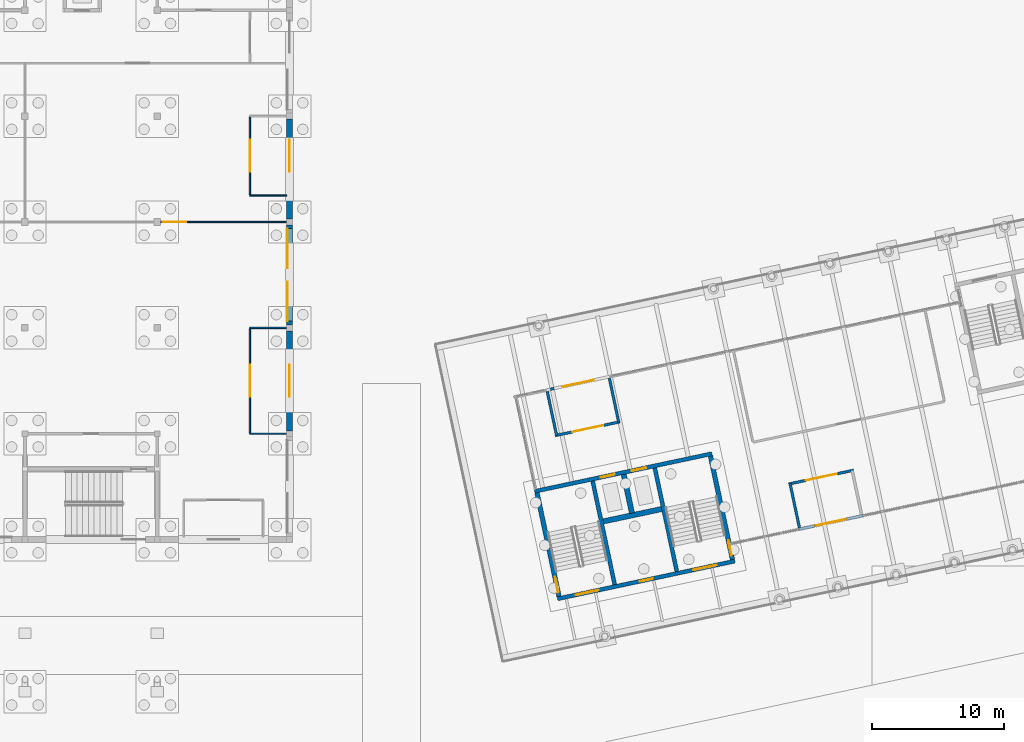
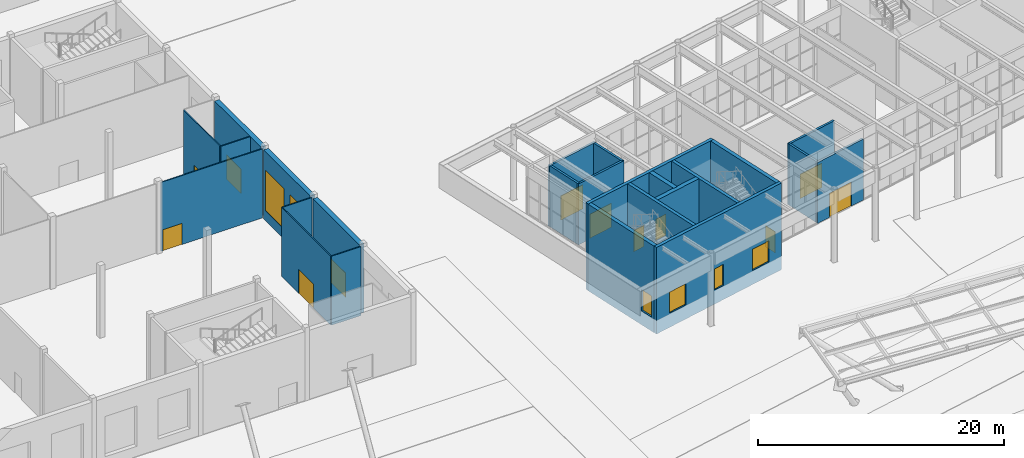
# One storey, part 165 of 239: 24 walls, 16 doors, 2 windows, 18 openings.
"""IFC4 building model written with IfcOpenShell, lengths in metres."""

from ifc_helpers import new_model, si_unit, direction, frame, frame_2d, origin, place, context, subcontext, project, spatial, rectangle, extrude, material, layer, layer_set, type_object, element, fill, save


model = new_model("IFC4")

# Units and contexts
model_context = context("Model", 3, precision=1e-05, world=origin(), true_north=direction((0.0, 1.0)))
body_context = subcontext(model_context, "Body", "Model", "MODEL_VIEW")
ifc_project = project(units=[si_unit("LENGTHUNIT", "METRE"), si_unit("AREAUNIT", "SQUARE_METRE"), si_unit("VOLUMEUNIT", "CUBIC_METRE"), si_unit("PLANEANGLEUNIT", "RADIAN"), si_unit("MASSUNIT", "GRAM", prefix="KILO")], contexts=[model_context])

# Site, building, storey
site_placement = place(None, origin())
site = spatial("IfcSite", under=ifc_project, at=site_placement, CompositionType="ELEMENT")
building_placement = place(site_placement, origin())
building = spatial("IfcBuilding", under=site, at=building_placement, Name="Okhra Congress Centre", CompositionType="ELEMENT")
storey_placement = place(building_placement, origin())
storey = spatial("IfcBuildingStorey", under=building, at=storey_placement, Name="L00", CompositionType="ELEMENT", Elevation=0.0)

# Wall, opening, door
ifc_material_1 = material(Name="Aluminium frame, triple glazing, laminated safety glass", Category="aluminium")
ifc_layer_1 = layer(ifc_material_1, 0.199951171875)
ifc_layer_set_1 = layer_set([ifc_layer_1], Name="Glazed entrance screen 200")
wall_type_1 = type_object("IfcWallType", Name="Glazed entrance screen 200", PredefinedType="SOLIDWALL", material=ifc_layer_set_1)
wall_1_placement = place(storey_placement, frame((84.451171875, 36.775390625, 0.0), z_axis=(0.0, 0.0, 1.0), x_axis=(0.978146935828, 0.207914818928, 0.0)))
wall_1 = element("IfcWall", 1, at=wall_1_placement, inside=storey, type_object=wall_type_1, Name="Entrance screen 1", PredefinedType="SOLIDWALL", context=body_context, shape_type="SweptSolid", body=[
    extrude(rectangle(XDim=5.0, YDim=0.199951171875, at=frame_2d((2.5, 0.0))), origin(), (0.0, 0.0, 1.0), 6.050048828125),
])
opening_1_placement = place(wall_1_placement, frame((1.300048828125, 0.0, 0.0)))
opening_1 = element("IfcOpeningElement", 2, at=opening_1_placement, cuts=wall_1, Name="Opening L00-281", PredefinedType="OPENING", context=body_context, shape_type="SweptSolid", body=[
    extrude(rectangle(XDim=2.39990234375, YDim=2.39990234375, at=frame_2d((1.199951171875, 1.199951171875))), frame((0.0, 0.10986328125, 0.0), z_axis=(0.0, -1.0, 0.0), x_axis=(1.0, 0.0, 0.0)), (0.0, 0.0, 1.0), 0.219970703125),
])
ifc_material_2 = material(Name="Aluminium-framed toughened glass sliding leaves, thermally broken", Category="aluminium")
door_type_1 = type_object("IfcDoorType", Name="Automatic sliding glazed door 2400x2400", OperationType="DOUBLE_DOOR_SLIDING", PredefinedType="DOOR", material=ifc_material_2)
door_1_placement = place(opening_1_placement, frame((2.39990234375, 0.0, 0.0), z_axis=(0.0, 0.0, 1.0), x_axis=(-1.0, 0.0, 0.0)))
door_1 = element("IfcDoor", 3, at=door_1_placement, inside=storey, type_object=door_type_1, Name="Door L00-281", OperationType="DOUBLE_DOOR_SLIDING", OverallHeight=2.39990234375, OverallWidth=2.39990234375, PredefinedType="DOOR", context=body_context, shape_type="SweptSolid", body=[
    extrude(rectangle(XDim=2.39990234375, YDim=2.39990234375, at=frame_2d((1.199951171875, 1.199951171875))), frame((0.0, 0.02490234375, 0.0), z_axis=(0.0, -1.0, 0.0), x_axis=(1.0, 0.0, 0.0)), (0.0, 0.0, 1.0), 0.050048828125),
])
fill(opening_1, door_1)

wall_2_placement = place(storey_placement, frame((65.348876953125, 47.283447265625, 0.0), z_axis=(0.0, 0.0, 1.0), x_axis=(0.978149046495, 0.207904888932, 0.0)))
wall_2 = element("IfcWall", 4, at=wall_2_placement, inside=storey, type_object=wall_type_1, Name="Entrance screen 4", PredefinedType="SOLIDWALL", context=body_context, shape_type="SweptSolid", body=[
    extrude(rectangle(XDim=5.000244140625, YDim=0.199951171875, at=frame_2d((2.5, 0.0))), origin(), (0.0, 0.0, 1.0), 6.050048828125),
])
opening_2_placement = place(wall_2_placement, frame((1.300048828125, 0.0, 0.0)))
opening_2 = element("IfcOpeningElement", 5, at=opening_2_placement, cuts=wall_2, Name="Opening L00-287", PredefinedType="OPENING", context=body_context, shape_type="SweptSolid", body=[
    extrude(rectangle(XDim=2.39990234375, YDim=2.39990234375, at=frame_2d((1.199951171875, 1.199951171875))), frame((0.0, 0.10986328125, 0.0), z_axis=(0.0, -1.0, 0.0), x_axis=(1.0, 0.0, 0.0)), (0.0, 0.0, 1.0), 0.219970703125),
])
door_2_placement = place(opening_2_placement, origin())
door_2 = element("IfcDoor", 6, at=door_2_placement, inside=storey, type_object=door_type_1, Name="Door L00-287", OperationType="DOUBLE_DOOR_SLIDING", OverallHeight=2.39990234375, OverallWidth=2.39990234375, PredefinedType="DOOR", context=body_context, shape_type="SweptSolid", body=[
    extrude(rectangle(XDim=2.39990234375, YDim=2.39990234375, at=frame_2d((1.199951171875, 1.199951171875))), frame((0.0, 0.02490234375, 0.0), z_axis=(0.0, -1.0, 0.0), x_axis=(1.0, 0.0, 0.0)), (0.0, 0.0, 1.0), 0.050048828125),
])
fill(opening_2, door_2)

ifc_layer_2 = layer(ifc_material_1, 0.199951171875)
ifc_layer_set_2 = layer_set([ifc_layer_2], Name="Glazed internal screen 200")
wall_type_2 = type_object("IfcWallType", Name="Glazed internal screen 200", PredefinedType="SOLIDWALL", material=ifc_layer_set_2)
wall_3_placement = place(storey_placement, frame((83.723388671875, 40.198974609375, 0.0), z_axis=(0.0, 0.0, 1.0), x_axis=(0.978149046495, 0.207904888932, 0.0)))
wall_3 = element("IfcWall", 7, at=wall_3_placement, inside=storey, type_object=wall_type_2, Name="Vestibule inner screen 1", PredefinedType="SOLIDWALL", context=body_context, shape_type="SweptSolid", body=[
    extrude(rectangle(XDim=5.000244140625, YDim=0.199951171875, at=frame_2d((2.5, 0.0))), origin(), (0.0, 0.0, 1.0), 6.050048828125),
])
opening_3_placement = place(wall_3_placement, frame((1.300048828125, 0.0, 0.0)))
opening_3 = element("IfcOpeningElement", 8, at=opening_3_placement, cuts=wall_3, Name="Opening L00-282", PredefinedType="OPENING", context=body_context, shape_type="SweptSolid", body=[
    extrude(rectangle(XDim=2.39990234375, YDim=2.39990234375, at=frame_2d((1.199951171875, 1.199951171875))), frame((0.0, 0.10986328125, 0.0), z_axis=(0.0, -1.0, 0.0), x_axis=(1.0, 0.0, 0.0)), (0.0, 0.0, 1.0), 0.219970703125),
])
door_3_placement = place(opening_3_placement, origin())
door_3 = element("IfcDoor", 9, at=door_3_placement, inside=storey, type_object=door_type_1, Name="Door L00-282", OperationType="DOUBLE_DOOR_SLIDING", OverallHeight=2.39990234375, OverallWidth=2.39990234375, PredefinedType="DOOR", context=body_context, shape_type="SweptSolid", body=[
    extrude(rectangle(XDim=2.39990234375, YDim=2.39990234375, at=frame_2d((1.199951171875, 1.199951171875))), frame((0.0, 0.02490234375, 0.0), z_axis=(0.0, -1.0, 0.0), x_axis=(1.0, 0.0, 0.0)), (0.0, 0.0, 1.0), 0.050048828125),
])
fill(opening_3, door_3)

# Wall
wall_4_placement = place(storey_placement, frame((84.528076171875, 36.89404296875, 0.0), z_axis=(0.0, 0.0, 1.0), x_axis=(-0.207881084728, 0.978154105758, 0.0)))
element("IfcWall", 10, at=wall_4_placement, inside=storey, type_object=wall_type_2, Name="Vestibule side screen 1a", PredefinedType="SOLIDWALL", context=body_context, shape_type="SweptSolid", body=[
    extrude(rectangle(XDim=3.39990234375, YDim=0.199951171875, at=frame_2d((1.699951171875, 0.0))), origin(), (0.0, 0.0, 1.0), 6.050048828125),
])

# Wall, opening, door
wall_5_placement = place(storey_placement, frame((66.07666015625, 43.860107421875, 0.0), z_axis=(0.0, 0.0, 1.0), x_axis=(0.978146935828, 0.207914818928, 0.0)))
wall_5 = element("IfcWall", 11, at=wall_5_placement, inside=storey, type_object=wall_type_2, Name="Vestibule inner screen 4", PredefinedType="SOLIDWALL", context=body_context, shape_type="SweptSolid", body=[
    extrude(rectangle(XDim=5.0, YDim=0.199951171875, at=frame_2d((2.5, 0.0))), origin(), (0.0, 0.0, 1.0), 6.050048828125),
])
opening_4_placement = place(wall_5_placement, frame((1.300048828125, 0.0, 0.0)))
opening_4 = element("IfcOpeningElement", 12, at=opening_4_placement, cuts=wall_5, Name="Opening L00-288", PredefinedType="OPENING", context=body_context, shape_type="SweptSolid", body=[
    extrude(rectangle(XDim=2.39990234375, YDim=2.39990234375, at=frame_2d((1.199951171875, 1.199951171875))), frame((0.0, 0.10986328125, 0.0), z_axis=(0.0, -1.0, 0.0), x_axis=(1.0, 0.0, 0.0)), (0.0, 0.0, 1.0), 0.219970703125),
])
door_4_placement = place(opening_4_placement, frame((2.39990234375, 0.0, 0.0), z_axis=(0.0, 0.0, 1.0), x_axis=(-1.0, 0.0, 0.0)))
door_4 = element("IfcDoor", 13, at=door_4_placement, inside=storey, type_object=door_type_1, Name="Door L00-288", OperationType="DOUBLE_DOOR_SLIDING", OverallHeight=2.39990234375, OverallWidth=2.39990234375, PredefinedType="DOOR", context=body_context, shape_type="SweptSolid", body=[
    extrude(rectangle(XDim=2.39990234375, YDim=2.39990234375, at=frame_2d((1.199951171875, 1.199951171875))), frame((0.0, 0.02490234375, 0.0), z_axis=(0.0, -1.0, 0.0), x_axis=(1.0, 0.0, 0.0)), (0.0, 0.0, 1.0), 0.050048828125),
])
fill(opening_4, door_4)

# Walls
for number, where, z_axis, x_axis, name in (
    (14, (65.467529296875, 47.20654296875, 0.0), (0.0, 0.0, 1.0), (0.207949787024, -0.97813950236, 0.0), "Vestibule side screen 4a"),
    (15, (70.16259765625, 48.20458984375, 0.0), (0.0, 0.0, 1.0), (0.207949787024, -0.97813950236, 0.0), "Vestibule side screen 4b"),
):
    element("IfcWall", number, at=place(storey_placement, frame(where, z_axis=z_axis, x_axis=x_axis)), inside=storey, type_object=wall_type_2, Name=name, PredefinedType="SOLIDWALL", context=body_context, shape_type="SweptSolid", body=[
        extrude(rectangle(XDim=3.39990234375, YDim=0.199951171875, at=frame_2d((1.699951171875, 0.0))), origin(), (0.0, 0.0, 1.0), 6.050048828125),
    ])
ifc_material_3 = material(Name="Gypsum board on steel studs", Category="steel")
ifc_layer_3 = layer(ifc_material_3, 0.10009765625)
ifc_layer_set_3 = layer_set([ifc_layer_3], Name="Partition 100 EI 15")
wall_type_3 = type_object("IfcWallType", Name="Partition 100 EI 15", PredefinedType="PARTITIONING", material=ifc_layer_set_3)
for number, where, z_axis, x_axis, name in (
    (16, (43.0, 44.0, 0.0), (0.0, 0.0, 1.0), (1.0, 0.0, 0.0), "RS.WALL.L00.8"),
    (17, (43.0, 52.0, 0.0), (0.0, 0.0, 1.0), (1.0, 0.0, 0.0), "RS.WALL.L00.9"),
):
    element("IfcWall", number, at=place(storey_placement, frame(where, z_axis=z_axis, x_axis=x_axis)), inside=storey, type_object=wall_type_3, Name=name, PredefinedType="PARTITIONING", context=body_context, shape_type="SweptSolid", body=[
        extrude(rectangle(XDim=2.77490234375, YDim=0.10009765625, at=frame_2d((1.387451171875, 0.0))), origin(), (0.0, 0.0, 1.0), 6.85009765625),
    ])

# Wall, opening, door
wall_6_placement = place(storey_placement, frame((36.25, 60.0, 0.0), z_axis=(0.0, 0.0, 1.0), x_axis=(1.0, 0.0, 0.0)))
wall_6 = element("IfcWall", 18, at=wall_6_placement, inside=storey, type_object=wall_type_3, Name="RS.WALL.L00.13", PredefinedType="PARTITIONING", context=body_context, shape_type="SweptSolid", body=[
    extrude(rectangle(XDim=9.52490234375, YDim=0.10009765625, at=frame_2d((4.762451171875, 0.0))), origin(), (0.0, 0.0, 1.0), 6.85009765625),
])
opening_5_placement = place(wall_6_placement, frame((0.14990234375, 0.0, 0.0)))
opening_5 = element("IfcOpeningElement", 19, at=opening_5_placement, cuts=wall_6, Name="Opening L00-183", PredefinedType="OPENING", context=body_context, shape_type="SweptSolid", body=[
    extrude(rectangle(XDim=1.800048828125, YDim=2.10009765625, at=frame_2d((0.89990234375, 1.050048828125))), frame((0.0, 0.06005859375, 0.0), z_axis=(0.0, -1.0, 0.0), x_axis=(1.0, 0.0, 0.0)), (0.0, 0.0, 1.0), 0.1201171875),
])
ifc_material_4 = material(Name="Timber door leaves in steel frame", Category="steel")
door_type_2 = type_object("IfcDoorType", Name="Double swing door 1800x2100", OperationType="NOTDEFINED", PredefinedType="DOOR", material=ifc_material_4)
door_5_placement = place(opening_5_placement, origin())
door_5 = element("IfcDoor", 20, at=door_5_placement, inside=storey, type_object=door_type_2, Name="Door L00-183", OperationType="DOUBLE_DOOR_SINGLE_SWING", OverallHeight=2.10009765625, OverallWidth=1.800048828125, PredefinedType="DOOR", context=body_context, shape_type="SweptSolid", body=[
    extrude(rectangle(XDim=1.800048828125, YDim=2.10009765625, at=frame_2d((0.89990234375, 1.050048828125))), frame((0.0, 0.02490234375, 0.0), z_axis=(0.0, -1.0, 0.0), x_axis=(1.0, 0.0, 0.0)), (0.0, 0.0, 1.0), 0.050048828125),
])
fill(opening_5, door_5)

# Wall
wall_7_placement = place(storey_placement, frame((43.0, 62.0, 0.0), z_axis=(0.0, 0.0, 1.0), x_axis=(1.0, 0.0, 0.0)))
element("IfcWall", 21, at=wall_7_placement, inside=storey, type_object=wall_type_3, Name="RS.WALL.L00.14", PredefinedType="PARTITIONING", context=body_context, shape_type="SweptSolid", body=[
    extrude(rectangle(XDim=2.77490234375, YDim=0.10009765625, at=frame_2d((1.387451171875, 0.0))), origin(), (0.0, 0.0, 1.0), 6.85009765625),
])

# Wall, opening, door
wall_8_placement = place(storey_placement, frame((43.0, 44.050048828125, 0.0), z_axis=(0.0, 0.0, 1.0), x_axis=(0.0, 1.0, 0.0)))
wall_8 = element("IfcWall", 22, at=wall_8_placement, inside=storey, type_object=wall_type_3, Name="RS.WALL.L00.57", PredefinedType="PARTITIONING", context=body_context, shape_type="SweptSolid", body=[
    extrude(rectangle(XDim=7.89990234375, YDim=0.10009765625, at=frame_2d((3.949951171875, 0.0))), origin(), (0.0, 0.0, 1.0), 6.85009765625),
])
opening_6_placement = place(wall_8_placement, frame((2.75, 0.0, 0.0)))
opening_6 = element("IfcOpeningElement", 23, at=opening_6_placement, cuts=wall_8, Name="Opening L00-186", PredefinedType="OPENING", context=body_context, shape_type="SweptSolid", body=[
    extrude(rectangle(XDim=2.39990234375, YDim=2.39990234375, at=frame_2d((1.199951171875, 1.199951171875))), frame((0.0, 0.06005859375, 0.0), z_axis=(0.0, -1.0, 0.0), x_axis=(1.0, 0.0, 0.0)), (0.0, 0.0, 1.0), 0.1201171875),
])
ifc_material_5 = material(Name="Aluminium-framed toughened glass door leaves", Category="aluminium")
door_type_3 = type_object("IfcDoorType", Name="Aluminium glazed door pair 2400x2400", OperationType="NOTDEFINED", PredefinedType="DOOR", material=ifc_material_5)
door_6_placement = place(opening_6_placement, frame((2.39990234375, 0.0, 0.0), z_axis=(0.0, 0.0, 1.0), x_axis=(-1.0, 0.0, 0.0)))
door_6 = element("IfcDoor", 24, at=door_6_placement, inside=storey, type_object=door_type_3, Name="Door L00-186", OperationType="DOUBLE_DOOR_SINGLE_SWING", OverallHeight=2.39990234375, OverallWidth=2.39990234375, PredefinedType="DOOR", context=body_context, shape_type="SweptSolid", body=[
    extrude(rectangle(XDim=2.39990234375, YDim=2.39990234375, at=frame_2d((1.199951171875, 1.199951171875))), frame((0.0, 0.02490234375, 0.0), z_axis=(0.0, -1.0, 0.0), x_axis=(1.0, 0.0, 0.0)), (0.0, 0.0, 1.0), 0.050048828125),
])
fill(opening_6, door_6)

wall_9_placement = place(storey_placement, frame((43.0, 62.050048828125, 0.0), z_axis=(0.0, 0.0, 1.0), x_axis=(0.0, 1.0, 0.0)))
wall_9 = element("IfcWall", 25, at=wall_9_placement, inside=storey, type_object=wall_type_3, Name="RS.WALL.L00.58", PredefinedType="PARTITIONING", context=body_context, shape_type="SweptSolid", body=[
    extrude(rectangle(XDim=5.89990234375, YDim=0.10009765625, at=frame_2d((2.949951171875, 0.0))), origin(), (0.0, 0.0, 1.0), 6.85009765625),
])
opening_7_placement = place(wall_9_placement, frame((1.75, 0.0, 0.0)))
opening_7 = element("IfcOpeningElement", 26, at=opening_7_placement, cuts=wall_9, Name="Opening L00-190", PredefinedType="OPENING", context=body_context, shape_type="SweptSolid", body=[
    extrude(rectangle(XDim=2.39990234375, YDim=2.39990234375, at=frame_2d((1.199951171875, 1.199951171875))), frame((0.0, 0.06005859375, 0.0), z_axis=(0.0, -1.0, 0.0), x_axis=(1.0, 0.0, 0.0)), (0.0, 0.0, 1.0), 0.1201171875),
])
door_7_placement = place(opening_7_placement, frame((2.39990234375, 0.0, 0.0), z_axis=(0.0, 0.0, 1.0), x_axis=(-1.0, 0.0, 0.0)))
door_7 = element("IfcDoor", 27, at=door_7_placement, inside=storey, type_object=door_type_3, Name="Door L00-190", OperationType="DOUBLE_DOOR_SINGLE_SWING", OverallHeight=2.39990234375, OverallWidth=2.39990234375, PredefinedType="DOOR", context=body_context, shape_type="SweptSolid", body=[
    extrude(rectangle(XDim=2.39990234375, YDim=2.39990234375, at=frame_2d((1.199951171875, 1.199951171875))), frame((0.0, 0.02490234375, 0.0), z_axis=(0.0, -1.0, 0.0), x_axis=(1.0, 0.0, 0.0)), (0.0, 0.0, 1.0), 0.050048828125),
])
fill(opening_7, door_7)

# Wall, openings, doors
ifc_material_6 = material(Name="Concrete C35/45", Category="concrete")
ifc_layer_4 = layer(ifc_material_6, 0.300048828125)
ifc_layer_set_4 = layer_set([ifc_layer_4], Name="RC core wall 300 REI 120 C35/45")
wall_type_4 = type_object("IfcWallType", Name="RC core wall 300 REI 120 C35/45", PredefinedType="SHEAR", material=ifc_layer_set_4)
wall_10_placement = place(storey_placement, frame((66.244873046875, 31.525390625, -1.39990234375), z_axis=(0.0, 0.0, 1.0), x_axis=(0.978147662755, 0.20791139903, 0.0)))
wall_10 = element("IfcWall", 28, at=wall_10_placement, inside=storey, type_object=wall_type_4, Name="BX.WALL.L00.K1S", PredefinedType="SHEAR", context=body_context, shape_type="SweptSolid", body=[
    extrude(rectangle(XDim=13.699951171875, YDim=0.300048828125, at=frame_2d((6.85009765625, 0.0))), origin(), (0.0, 0.0, 1.0), 8.599853515625),
])
opening_8_placement = place(wall_10_placement, frame((1.39990234375, 0.0, 1.39990234375)))
opening_8 = element("IfcOpeningElement", 29, at=opening_8_placement, cuts=wall_10, Name="Opening L00-250", PredefinedType="OPENING", context=body_context, shape_type="SweptSolid", body=[
    extrude(rectangle(XDim=1.800048828125, YDim=2.10009765625, at=frame_2d((0.89990234375, 1.050048828125))), frame((0.0, 0.159912109375, 0.0), z_axis=(0.0, -1.0, 0.0), x_axis=(1.0, 0.0, 0.0)), (0.0, 0.0, 1.0), 0.320068359375),
])
opening_9_placement = place(wall_10_placement, frame((10.5, 0.0, 1.39990234375)))
opening_9 = element("IfcOpeningElement", 30, at=opening_9_placement, cuts=wall_10, Name="Opening L00-251", PredefinedType="OPENING", context=body_context, shape_type="SweptSolid", body=[
    extrude(rectangle(XDim=1.800048828125, YDim=2.10009765625, at=frame_2d((0.89990234375, 1.050048828125))), frame((0.0, 0.159912109375, 0.0), z_axis=(0.0, -1.0, 0.0), x_axis=(1.0, 0.0, 0.0)), (0.0, 0.0, 1.0), 0.320068359375),
])
opening_10_placement = place(wall_10_placement, frame((6.35009765625, 0.0, 1.39990234375)))
opening_10 = element("IfcOpeningElement", 31, at=opening_10_placement, cuts=wall_10, Name="Opening L00-252", PredefinedType="OPENING", context=body_context, shape_type="SweptSolid", body=[
    extrude(rectangle(XDim=1.0, YDim=2.10009765625, at=frame_2d((0.5, 1.050048828125))), frame((0.0, 0.159912109375, 0.0), z_axis=(0.0, -1.0, 0.0), x_axis=(1.0, 0.0, 0.0)), (0.0, 0.0, 1.0), 0.320068359375),
])
ifc_material_7 = material(Name="Steel fire door leaf in steel frame, intumescent seals", Category="steel")
door_type_4 = type_object("IfcDoorType", Name="Steel fire door 1000x2100 EI 30", OperationType="NOTDEFINED", PredefinedType="DOOR", material=ifc_material_7)
door_8_placement = place(opening_10_placement, frame((1.0, 0.0, 0.0), z_axis=(0.0, 0.0, 1.0), x_axis=(-1.0, 0.0, 0.0)))
door_8 = element("IfcDoor", 32, at=door_8_placement, inside=storey, type_object=door_type_4, Name="Door L00-252", OperationType="SINGLE_SWING_LEFT", OverallHeight=2.10009765625, OverallWidth=1.0, PredefinedType="DOOR", context=body_context, shape_type="SweptSolid", body=[
    extrude(rectangle(XDim=1.0, YDim=2.10009765625, at=frame_2d((0.5, 1.050048828125))), frame((0.0, 0.02490234375, 0.0), z_axis=(0.0, -1.0, 0.0), x_axis=(1.0, 0.0, 0.0)), (0.0, 0.0, 1.0), 0.050048828125),
])
fill(opening_10, door_8)
ifc_material_8 = material(Name="Steel fire door leaves in steel frame, intumescent seals", Category="steel")
door_type_5 = type_object("IfcDoorType", Name="Steel fire door pair 1800x2100 EI 30", OperationType="NOTDEFINED", PredefinedType="DOOR", material=ifc_material_8)
door_9_placement = place(opening_8_placement, frame((1.800048828125, 0.0, 0.0), z_axis=(0.0, 0.0, 1.0), x_axis=(-1.0, 0.0, 0.0)))
door_9 = element("IfcDoor", 33, at=door_9_placement, inside=storey, type_object=door_type_5, Name="Door L00-250", OperationType="DOUBLE_DOOR_SINGLE_SWING", OverallHeight=2.10009765625, OverallWidth=1.800048828125, PredefinedType="DOOR", context=body_context, shape_type="SweptSolid", body=[
    extrude(rectangle(XDim=1.800048828125, YDim=2.10009765625, at=frame_2d((0.89990234375, 1.050048828125))), frame((0.0, 0.02490234375, 0.0), z_axis=(0.0, -1.0, 0.0), x_axis=(1.0, 0.0, 0.0)), (0.0, 0.0, 1.0), 0.050048828125),
])
fill(opening_8, door_9)
door_10_placement = place(opening_9_placement, frame((1.800048828125, 0.0, 0.0), z_axis=(0.0, 0.0, 1.0), x_axis=(-1.0, 0.0, 0.0)))
door_10 = element("IfcDoor", 34, at=door_10_placement, inside=storey, type_object=door_type_5, Name="Door L00-251", OperationType="DOUBLE_DOOR_SINGLE_SWING", OverallHeight=2.10009765625, OverallWidth=1.800048828125, PredefinedType="DOOR", context=body_context, shape_type="SweptSolid", body=[
    extrude(rectangle(XDim=1.800048828125, YDim=2.10009765625, at=frame_2d((0.89990234375, 1.050048828125))), frame((0.0, 0.02490234375, 0.0), z_axis=(0.0, -1.0, 0.0), x_axis=(1.0, 0.0, 0.0)), (0.0, 0.0, 1.0), 0.050048828125),
])
fill(opening_9, door_10)

wall_11_placement = place(storey_placement, frame((64.51904296875, 39.64404296875, -1.39990234375), z_axis=(0.0, 0.0, 1.0), x_axis=(0.978147662755, 0.20791139903, 0.0)))
wall_11 = element("IfcWall", 35, at=wall_11_placement, inside=storey, type_object=wall_type_4, Name="BX.WALL.L00.K1T", PredefinedType="SHEAR", context=body_context, shape_type="SweptSolid", body=[
    extrude(rectangle(XDim=13.699951171875, YDim=0.300048828125, at=frame_2d((6.85009765625, 0.0))), origin(), (0.0, 0.0, 1.0), 8.599853515625),
])
opening_11_placement = place(wall_11_placement, frame((5.10009765625, 0.0, 1.39990234375)))
opening_11 = element("IfcOpeningElement", 36, at=opening_11_placement, cuts=wall_11, Name="Opening L00-246", PredefinedType="OPENING", context=body_context, shape_type="SweptSolid", body=[
    extrude(rectangle(XDim=1.10009765625, YDim=2.10009765625, at=frame_2d((0.550048828125, 1.050048828125))), frame((0.0, 0.159912109375, 0.0), z_axis=(0.0, -1.0, 0.0), x_axis=(1.0, 0.0, 0.0)), (0.0, 0.0, 1.0), 0.320068359375),
])
opening_12_placement = place(wall_11_placement, frame((7.5, 0.0, 1.39990234375)))
opening_12 = element("IfcOpeningElement", 37, at=opening_12_placement, cuts=wall_11, Name="Opening L00-247", PredefinedType="OPENING", context=body_context, shape_type="SweptSolid", body=[
    extrude(rectangle(XDim=1.10009765625, YDim=2.10009765625, at=frame_2d((0.550048828125, 1.050048828125))), frame((0.0, 0.159912109375, 0.0), z_axis=(0.0, -1.0, 0.0), x_axis=(1.0, 0.0, 0.0)), (0.0, 0.0, 1.0), 0.320068359375),
])
ifc_material_9 = material(Name="Stainless steel sliding landing door leaves", Category="steel")
door_type_6 = type_object("IfcDoorType", Name="Lift landing door 1100x2100 EI 30", OperationType="DOUBLE_DOOR_SLIDING", PredefinedType="DOOR", material=ifc_material_9)
door_11_placement = place(opening_11_placement, origin())
door_11 = element("IfcDoor", 38, at=door_11_placement, inside=storey, type_object=door_type_6, Name="Door L00-246", OperationType="DOUBLE_DOOR_SLIDING", OverallHeight=2.10009765625, OverallWidth=1.10009765625, PredefinedType="DOOR", context=body_context, shape_type="SweptSolid", body=[
    extrude(rectangle(XDim=1.10009765625, YDim=2.10009765625, at=frame_2d((0.550048828125, 1.050048828125))), frame((0.0, 0.02490234375, 0.0), z_axis=(0.0, -1.0, 0.0), x_axis=(1.0, 0.0, 0.0)), (0.0, 0.0, 1.0), 0.050048828125),
])
fill(opening_11, door_11)
door_12_placement = place(opening_12_placement, origin())
door_12 = element("IfcDoor", 39, at=door_12_placement, inside=storey, type_object=door_type_6, Name="Door L00-247", OperationType="DOUBLE_DOOR_SLIDING", OverallHeight=2.10009765625, OverallWidth=1.10009765625, PredefinedType="DOOR", context=body_context, shape_type="SweptSolid", body=[
    extrude(rectangle(XDim=1.10009765625, YDim=2.10009765625, at=frame_2d((0.550048828125, 1.050048828125))), frame((0.0, 0.02490234375, 0.0), z_axis=(0.0, -1.0, 0.0), x_axis=(1.0, 0.0, 0.0)), (0.0, 0.0, 1.0), 0.050048828125),
])
fill(opening_12, door_12)

# Walls
for number, where, z_axis, x_axis, name in (
    (40, (70.56640625, 32.597412109375, -1.39990234375), (0.0, 0.0, 1.0), (-0.207915693476, 0.978146749934, 0.0), "BX.WALL.L00.K1P1"),
    (41, (75.261474609375, 33.595458984375, -1.39990234375), (0.0, 0.0, 1.0), (-0.207915693476, 0.978146749934, 0.0), "BX.WALL.L00.K1P2"),
):
    element("IfcWall", number, at=place(storey_placement, frame(where, z_axis=z_axis, x_axis=x_axis)), inside=storey, type_object=wall_type_4, Name=name, PredefinedType="SHEAR", context=body_context, shape_type="SweptSolid", body=[
        extrude(rectangle(XDim=8.0, YDim=0.300048828125, at=frame_2d((4.0, 0.0))), origin(), (0.0, 0.0, 1.0), 8.599853515625),
    ])
ifc_layer_5 = layer(ifc_material_6, 0.39990234375)
ifc_layer_set_5 = layer_set([ifc_layer_5], Name="RC core wall 400 REI 120 C35/45")
wall_type_5 = type_object("IfcWallType", Name="RC core wall 400 REI 120 C35/45", PredefinedType="SHEAR", material=ifc_layer_set_5)
wall_12_placement = place(storey_placement, frame((71.874267578125, 37.987060546875, -1.39990234375), z_axis=(0.0, 0.0, 1.0), x_axis=(-0.20783929028, 0.978162987143, 0.0)))
element("IfcWall", 42, at=wall_12_placement, inside=storey, type_object=wall_type_5, Name="BX.WALL.L00.K1D", PredefinedType="SHEAR", context=body_context, shape_type="SweptSolid", body=[
    extrude(rectangle(XDim=3.0, YDim=0.39990234375, at=frame_2d((1.5, 0.0))), origin(), (0.0, 0.0, 1.0), 8.599853515625),
])
wall_13_placement = place(storey_placement, frame((69.704833984375, 37.37255859375, -1.39990234375), z_axis=(0.0, 0.0, 1.0), x_axis=(0.978149611564, 0.20790223038, 0.0)))
element("IfcWall", 43, at=wall_13_placement, inside=storey, type_object=wall_type_5, Name="BX.WALL.L00.K1R", PredefinedType="SHEAR", context=body_context, shape_type="SweptSolid", body=[
    extrude(rectangle(XDim=4.5, YDim=0.39990234375, at=frame_2d((2.25, 0.0))), origin(), (0.0, 0.0, 1.0), 8.599853515625),
])

# Wall, opening, door
ifc_material_10 = material(Name="Concrete C30/37", Category="concrete")
ifc_layer_6 = layer(ifc_material_10, 0.35009765625)
ifc_layer_set_6 = layer_set([ifc_layer_6], Name="RC wall 350 REI 120 C30/37")
wall_type_6 = type_object("IfcWallType", Name="RC wall 350 REI 120 C30/37", PredefinedType="SOLIDWALL", material=ifc_layer_set_6)
wall_14_placement = place(storey_placement, frame((66.3603515625, 31.703369140625, -1.39990234375), z_axis=(0.0, 0.0, 1.0), x_axis=(-0.207915693476, 0.978146749934, 0.0)))
wall_14 = element("IfcWall", 44, at=wall_14_placement, inside=storey, type_object=wall_type_6, Name="BX.WALL.L00.K1W", PredefinedType="SOLIDWALL", context=body_context, shape_type="SweptSolid", body=[
    extrude(rectangle(XDim=8.0, YDim=0.35009765625, at=frame_2d((4.0, 0.0))), origin(), (0.0, 0.0, 1.0), 8.599853515625),
])
opening_13_placement = place(wall_14_placement, frame((0.300048828125, 0.0, 1.39990234375)))
opening_13 = element("IfcOpeningElement", 45, at=opening_13_placement, cuts=wall_14, Name="Opening L00-248", PredefinedType="OPENING", context=body_context, shape_type="SweptSolid", body=[
    extrude(rectangle(XDim=1.199951171875, YDim=2.10009765625, at=frame_2d((0.60009765625, 1.050048828125))), frame((0.0, 0.18505859375, 0.0), z_axis=(0.0, -1.0, 0.0), x_axis=(1.0, 0.0, 0.0)), (0.0, 0.0, 1.0), 0.3701171875),
])
door_type_7 = type_object("IfcDoorType", Name="Steel fire door 1200x2100 EI 30", OperationType="NOTDEFINED", PredefinedType="DOOR", material=ifc_material_7)
door_13_placement = place(opening_13_placement, origin())
door_13 = element("IfcDoor", 46, at=door_13_placement, inside=storey, type_object=door_type_7, Name="Door L00-248", OperationType="SINGLE_SWING_LEFT", OverallHeight=2.10009765625, OverallWidth=1.199951171875, PredefinedType="DOOR", context=body_context, shape_type="SweptSolid", body=[
    extrude(rectangle(XDim=1.199951171875, YDim=2.10009765625, at=frame_2d((0.60009765625, 1.050048828125))), frame((0.0, 0.02490234375, 0.0), z_axis=(0.0, -1.0, 0.0), x_axis=(1.0, 0.0, 0.0)), (0.0, 0.0, 1.0), 0.050048828125),
])
fill(opening_13, door_13)

wall_15_placement = place(storey_placement, frame((79.467529296875, 34.489501953125, -1.39990234375), z_axis=(0.0, 0.0, 1.0), x_axis=(-0.207915693476, 0.978146749934, 0.0)))
wall_15 = element("IfcWall", 47, at=wall_15_placement, inside=storey, type_object=wall_type_6, Name="BX.WALL.L00.K1E", PredefinedType="SOLIDWALL", context=body_context, shape_type="SweptSolid", body=[
    extrude(rectangle(XDim=8.0, YDim=0.35009765625, at=frame_2d((4.0, 0.0))), origin(), (0.0, 0.0, 1.0), 8.599853515625),
])
opening_14_placement = place(wall_15_placement, frame((0.300048828125, 0.0, 1.39990234375)))
opening_14 = element("IfcOpeningElement", 48, at=opening_14_placement, cuts=wall_15, Name="Opening L00-249", PredefinedType="OPENING", context=body_context, shape_type="SweptSolid", body=[
    extrude(rectangle(XDim=1.199951171875, YDim=2.10009765625, at=frame_2d((0.60009765625, 1.050048828125))), frame((0.0, 0.18505859375, 0.0), z_axis=(0.0, -1.0, 0.0), x_axis=(1.0, 0.0, 0.0)), (0.0, 0.0, 1.0), 0.3701171875),
])
door_14_placement = place(opening_14_placement, frame((1.199951171875, 0.0, 0.0), z_axis=(0.0, 0.0, 1.0), x_axis=(-1.0, 0.0, 0.0)))
door_14 = element("IfcDoor", 49, at=door_14_placement, inside=storey, type_object=door_type_7, Name="Door L00-249", OperationType="SINGLE_SWING_LEFT", OverallHeight=2.10009765625, OverallWidth=1.199951171875, PredefinedType="DOOR", context=body_context, shape_type="SweptSolid", body=[
    extrude(rectangle(XDim=1.199951171875, YDim=2.10009765625, at=frame_2d((0.60009765625, 1.050048828125))), frame((0.0, 0.02490234375, 0.0), z_axis=(0.0, -1.0, 0.0), x_axis=(1.0, 0.0, 0.0)), (0.0, 0.0, 1.0), 0.050048828125),
])
fill(opening_14, door_14)

ifc_material_11 = material(Name="Render on mineral wool insulation over masonry backing", Category="masonry")
ifc_layer_7 = layer(ifc_material_11, 0.449951171875)
ifc_layer_set_7 = layer_set([ifc_layer_7], Name="Rendered insulated wall 450")
wall_type_7 = type_object("IfcWallType", Name="Rendered insulated wall 450", PredefinedType="SOLIDWALL", material=ifc_layer_set_7)
wall_16_placement = place(storey_placement, frame((46.0, 44.22509765625, 0.0), z_axis=(0.0, 0.0, 1.0), x_axis=(0.0, 1.0, 0.0)))
wall_16 = element("IfcWall", 50, at=wall_16_placement, inside=storey, type_object=wall_type_7, Name="RS.WALL.L00.62", PredefinedType="SOLIDWALL", context=body_context, shape_type="SweptSolid", body=[
    extrude(rectangle(XDim=7.5498046875, YDim=0.449951171875, at=frame_2d((3.77490234375, 0.0))), origin(), (0.0, 0.0, 1.0), 6.85009765625),
])
opening_15_placement = place(wall_16_placement, frame((2.574951171875, 0.0, 0.0)))
opening_15 = element("IfcOpeningElement", 51, at=opening_15_placement, cuts=wall_16, Name="Opening L00-187", PredefinedType="OPENING", context=body_context, shape_type="SweptSolid", body=[
    extrude(rectangle(XDim=2.39990234375, YDim=2.39990234375, at=frame_2d((1.199951171875, 1.199951171875))), frame((0.0, 0.23486328125, 0.0), z_axis=(0.0, -1.0, 0.0), x_axis=(1.0, 0.0, 0.0)), (0.0, 0.0, 1.0), 0.469970703125),
])
door_15_placement = place(opening_15_placement, frame((2.39990234375, 0.0, 0.0), z_axis=(0.0, 0.0, 1.0), x_axis=(-1.0, 0.0, 0.0)))
door_15 = element("IfcDoor", 52, at=door_15_placement, inside=storey, type_object=door_type_3, Name="Door L00-187", OperationType="DOUBLE_DOOR_SINGLE_SWING", OverallHeight=2.39990234375, OverallWidth=2.39990234375, PredefinedType="DOOR", context=body_context, shape_type="SweptSolid", body=[
    extrude(rectangle(XDim=2.39990234375, YDim=2.39990234375, at=frame_2d((1.199951171875, 1.199951171875))), frame((0.0, 0.02490234375, 0.0), z_axis=(0.0, -1.0, 0.0), x_axis=(1.0, 0.0, 0.0)), (0.0, 0.0, 1.0), 0.050048828125),
])
fill(opening_15, door_15)

# Wall, openings, windows
wall_17_placement = place(storey_placement, frame((46.0, 52.22509765625, 0.0), z_axis=(0.0, 0.0, 1.0), x_axis=(0.0, 1.0, 0.0)))
wall_17 = element("IfcWall", 53, at=wall_17_placement, inside=storey, type_object=wall_type_7, Name="RS.WALL.L00.63", PredefinedType="SOLIDWALL", context=body_context, shape_type="SweptSolid", body=[
    extrude(rectangle(XDim=7.5498046875, YDim=0.449951171875, at=frame_2d((3.77490234375, 0.0))), origin(), (0.0, 0.0, 1.0), 6.85009765625),
])
opening_16_placement = place(wall_17_placement, frame((0.27490234375, 0.0, 1.0)))
opening_16 = element("IfcOpeningElement", 54, at=opening_16_placement, cuts=wall_17, Name="Opening WN12", PredefinedType="OPENING", context=body_context, shape_type="SweptSolid", body=[
    extrude(rectangle(XDim=3.0, YDim=4.0, at=frame_2d((1.5, 2.0))), frame((0.0, 0.23486328125, 0.0), z_axis=(0.0, -1.0, 0.0), x_axis=(1.0, 0.0, 0.0)), (0.0, 0.0, 1.0), 0.469970703125),
])
opening_17_placement = place(wall_17_placement, frame((4.27490234375, 0.0, 1.0)))
opening_17 = element("IfcOpeningElement", 55, at=opening_17_placement, cuts=wall_17, Name="Opening WN12", PredefinedType="OPENING", context=body_context, shape_type="SweptSolid", body=[
    extrude(rectangle(XDim=3.0, YDim=4.0, at=frame_2d((1.5, 2.0))), frame((0.0, 0.23486328125, 0.0), z_axis=(0.0, -1.0, 0.0), x_axis=(1.0, 0.0, 0.0)), (0.0, 0.0, 1.0), 0.469970703125),
])
ifc_material_12 = material(Name="Thermally broken aluminium frame, triple glazing", Category="aluminium")
window_type = type_object("IfcWindowType", Name="Fixed window 3000x4000", PartitioningType="SINGLE_PANEL", PredefinedType="WINDOW", material=ifc_material_12)
window_1_placement = place(opening_16_placement, origin())
window_1 = element("IfcWindow", 56, at=window_1_placement, inside=storey, type_object=window_type, Name="RS.WIN.L00.16", OverallHeight=4.0, OverallWidth=3.0, PartitioningType="SINGLE_PANEL", PredefinedType="WINDOW", context=body_context, shape_type="SweptSolid", body=[
    extrude(rectangle(XDim=3.0, YDim=4.0, at=frame_2d((1.5, 2.0))), frame((0.0, 0.215087890625, 0.0), z_axis=(0.0, -1.0, 0.0), x_axis=(1.0, 0.0, 0.0)), (0.0, 0.0, 1.0), 0.06005859375),
])
fill(opening_16, window_1)
window_2_placement = place(opening_17_placement, origin())
window_2 = element("IfcWindow", 57, at=window_2_placement, inside=storey, type_object=window_type, Name="RS.WIN.L00.17", OverallHeight=4.0, OverallWidth=3.0, PartitioningType="SINGLE_PANEL", PredefinedType="WINDOW", context=body_context, shape_type="SweptSolid", body=[
    extrude(rectangle(XDim=3.0, YDim=4.0, at=frame_2d((1.5, 2.0))), frame((0.0, 0.215087890625, 0.0), z_axis=(0.0, -1.0, 0.0), x_axis=(1.0, 0.0, 0.0)), (0.0, 0.0, 1.0), 0.06005859375),
])
fill(opening_17, window_2)

# Wall, opening, door
wall_18_placement = place(storey_placement, frame((46.0, 60.22509765625, 0.0), z_axis=(0.0, 0.0, 1.0), x_axis=(0.0, 1.0, 0.0)))
wall_18 = element("IfcWall", 58, at=wall_18_placement, inside=storey, type_object=wall_type_7, Name="RS.WALL.L00.64", PredefinedType="SOLIDWALL", context=body_context, shape_type="SweptSolid", body=[
    extrude(rectangle(XDim=7.5498046875, YDim=0.449951171875, at=frame_2d((3.77490234375, 0.0))), origin(), (0.0, 0.0, 1.0), 6.85009765625),
])
opening_18_placement = place(wall_18_placement, frame((3.574951171875, 0.0, 0.0)))
opening_18 = element("IfcOpeningElement", 59, at=opening_18_placement, cuts=wall_18, Name="Opening L00-191", PredefinedType="OPENING", context=body_context, shape_type="SweptSolid", body=[
    extrude(rectangle(XDim=2.39990234375, YDim=2.39990234375, at=frame_2d((1.199951171875, 1.199951171875))), frame((0.0, 0.23486328125, 0.0), z_axis=(0.0, -1.0, 0.0), x_axis=(1.0, 0.0, 0.0)), (0.0, 0.0, 1.0), 0.469970703125),
])
door_16_placement = place(opening_18_placement, frame((2.39990234375, 0.0, 0.0), z_axis=(0.0, 0.0, 1.0), x_axis=(-1.0, 0.0, 0.0)))
door_16 = element("IfcDoor", 60, at=door_16_placement, inside=storey, type_object=door_type_3, Name="Door L00-191", OperationType="DOUBLE_DOOR_SINGLE_SWING", OverallHeight=2.39990234375, OverallWidth=2.39990234375, PredefinedType="DOOR", context=body_context, shape_type="SweptSolid", body=[
    extrude(rectangle(XDim=2.39990234375, YDim=2.39990234375, at=frame_2d((1.199951171875, 1.199951171875))), frame((0.0, 0.02490234375, 0.0), z_axis=(0.0, -1.0, 0.0), x_axis=(1.0, 0.0, 0.0)), (0.0, 0.0, 1.0), 0.050048828125),
])
fill(opening_18, door_16)

save(model, "model.ifc")
